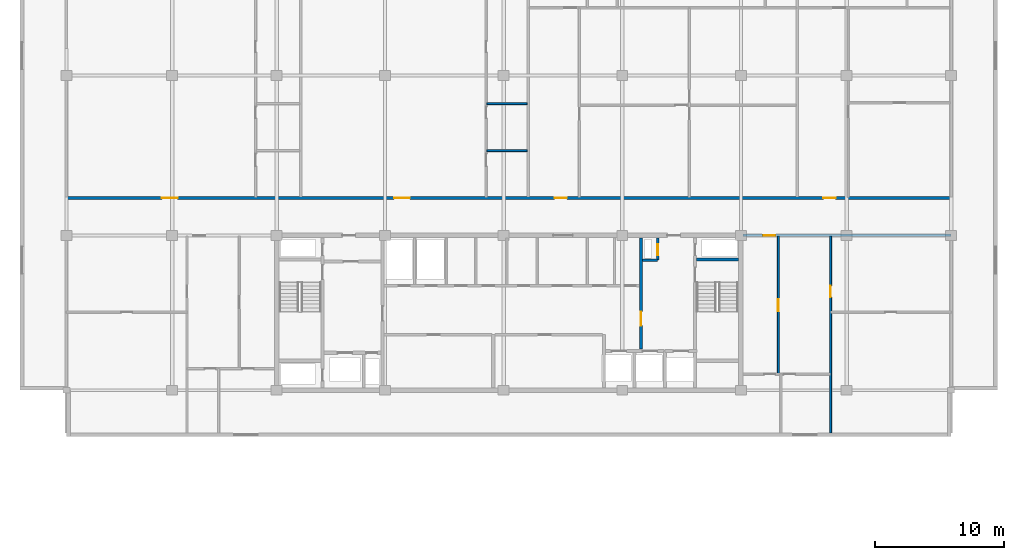
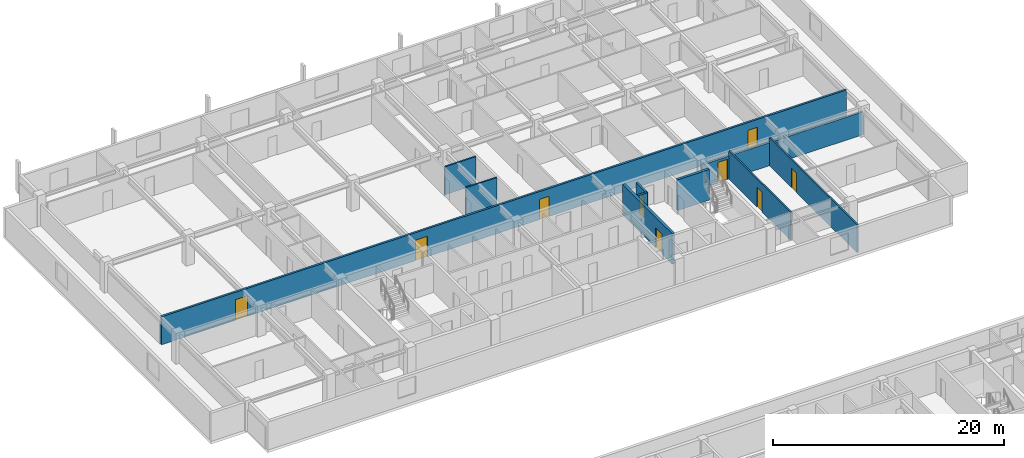
# One storey, part 13 of 22: 10 walls, 9 doors, 9 openings.
"""IFC4 building model written with IfcOpenShell, lengths in metres."""

from ifc_helpers import new_model, si_unit, direction, frame, frame_2d, origin, place, context, subcontext, project, spatial, rectangle, extrude, material, layer, layer_set, type_object, element, fill, save


model = new_model("IFC4")

# Units and contexts
model_context = context("Model", 3, precision=1e-05, world=origin(), true_north=direction((0.0, 1.0)))
body_context = subcontext(model_context, "Body", "Model", "MODEL_VIEW")
ifc_project = project(units=[si_unit("LENGTHUNIT", "METRE"), si_unit("AREAUNIT", "SQUARE_METRE"), si_unit("VOLUMEUNIT", "CUBIC_METRE"), si_unit("PLANEANGLEUNIT", "RADIAN"), si_unit("MASSUNIT", "GRAM", prefix="KILO")], contexts=[model_context])

# Site, building, storey
site_placement = place(None, origin())
site = spatial("IfcSite", under=ifc_project, at=site_placement, CompositionType="ELEMENT")
building_placement = place(site_placement, origin())
building = spatial("IfcBuilding", under=site, at=building_placement, Name="Korimba Cascade Residences", CompositionType="ELEMENT")
storey_placement = place(building_placement, frame((0.0, 0.0, 191.35009765625)))
storey = spatial("IfcBuildingStorey", under=building, at=storey_placement, Name="L55", CompositionType="ELEMENT", Elevation=191.35009765625)

# Wall, opening, door
ifc_material_1 = material(Name="Precast concrete C40/50", Category="concrete")
ifc_layer_1 = layer(ifc_material_1, 0.199951171875)
ifc_layer_set_1 = layer_set([ifc_layer_1], Name="Precast concrete C40/50")
wall_type_1 = type_object("IfcWallType", Name="WAL-IT-200", PredefinedType="PARTITIONING", material=ifc_layer_set_1)
wall_1_placement = place(storey_placement, frame((112.25, 67.199951171875, 0.0), z_axis=(0.0, 0.0, 1.0), x_axis=(1.0, 0.0, 0.0)))
wall_1 = element("IfcWall", 1, at=wall_1_placement, inside=storey, type_object=wall_type_1, Name="L55 Partition Wall WAL-L55-T1-FE-N", PredefinedType="PARTITIONING", context=body_context, shape_type="SweptSolid", body=[
    extrude(rectangle(XDim=16.14990234375, YDim=0.199951171875, at=frame_2d((8.074951171875, 0.0))), origin(), (0.0, 0.0, 1.0), 2.43310546875),
])
opening_1_placement = place(wall_1_placement, frame((1.580078125, 0.0, 0.0)))
opening_1 = element("IfcOpeningElement", 2, at=opening_1_placement, cuts=wall_1, Name="Opening D-UN1", PredefinedType="OPENING", context=body_context, shape_type="SweptSolid", body=[
    extrude(rectangle(XDim=0.949951171875, YDim=2.14990234375, at=frame_2d((0.47509765625, 1.074951171875))), frame((0.0, 0.10986328125, 0.0), z_axis=(0.0, -1.0, 0.0), x_axis=(1.0, 0.0, 0.0)), (0.0, 0.0, 1.0), 0.219970703125),
])
ifc_material_2 = material(Name="Fire-Rated Hardwood Apartment Entrance Door", Category="wood")
door_type_1 = type_object("IfcDoorType", Name="DR-FD60-950", OperationType="NOTDEFINED", PredefinedType="DOOR", material=ifc_material_2)
door_1_placement = place(opening_1_placement, origin())
door_1 = element("IfcDoor", 3, at=door_1_placement, inside=storey, type_object=door_type_1, Name="L55-T1-FE Entrance Door", OperationType="SINGLE_SWING_RIGHT", OverallHeight=2.14990234375, OverallWidth=0.949951171875, PredefinedType="DOOR", context=body_context, shape_type="SweptSolid", body=[
    extrude(rectangle(XDim=0.949951171875, YDim=2.14990234375, at=frame_2d((0.47509765625, 1.074951171875))), frame((0.0, 0.02490234375, 0.0), z_axis=(0.0, -1.0, 0.0), x_axis=(1.0, 0.0, 0.0)), (0.0, 0.0, 1.0), 0.050048828125),
])
fill(opening_1, door_1)

# Wall, openings, doors
wall_2_placement = place(storey_placement, frame((59.800048828125, 70.10009765625, 0.0), z_axis=(0.0, 0.0, 1.0), x_axis=(1.0, 0.0, 0.0)))
wall_2 = element("IfcWall", 4, at=wall_2_placement, inside=storey, type_object=wall_type_1, Name="L55 Partition Wall WAL-L55-T1-CORN", PredefinedType="PARTITIONING", context=body_context, shape_type="SweptSolid", body=[
    extrude(rectangle(XDim=68.599853515625, YDim=0.199951171875, at=frame_2d((34.2998046875, 0.0))), origin(), (0.0, 0.0, 1.0), 2.969970703125),
])
opening_2_placement = place(wall_2_placement, frame((7.39404296875, 0.0, 0.0)))
opening_2 = element("IfcOpeningElement", 5, at=opening_2_placement, cuts=wall_2, Name="Opening D-AM1", PredefinedType="OPENING", context=body_context, shape_type="SweptSolid", body=[
    extrude(rectangle(XDim=1.219970703125, YDim=2.179931640625, at=frame_2d((0.60986328125, 1.08984375))), frame((0.0, 0.10986328125, 0.0), z_axis=(0.0, -1.0, 0.0), x_axis=(1.0, 0.0, 0.0)), (0.0, 0.0, 1.0), 0.219970703125),
])
opening_3_placement = place(wall_2_placement, frame((25.414794921875, 0.0, 0.0)))
opening_3 = element("IfcOpeningElement", 6, at=opening_3_placement, cuts=wall_2, Name="Opening D-AM1", PredefinedType="OPENING", context=body_context, shape_type="SweptSolid", body=[
    extrude(rectangle(XDim=1.219970703125, YDim=2.179931640625, at=frame_2d((0.60986328125, 1.08984375))), frame((0.0, 0.10986328125, 0.0), z_axis=(0.0, -1.0, 0.0), x_axis=(1.0, 0.0, 0.0)), (0.0, 0.0, 1.0), 0.219970703125),
])
opening_4_placement = place(wall_2_placement, frame((37.8564453125, 0.0, 0.0)))
opening_4 = element("IfcOpeningElement", 7, at=opening_4_placement, cuts=wall_2, Name="Opening D-UN1", PredefinedType="OPENING", context=body_context, shape_type="SweptSolid", body=[
    extrude(rectangle(XDim=0.949951171875, YDim=2.14990234375, at=frame_2d((0.47509765625, 1.074951171875))), frame((0.0, 0.10986328125, 0.0), z_axis=(0.0, -1.0, 0.0), x_axis=(1.0, 0.0, 0.0)), (0.0, 0.0, 1.0), 0.219970703125),
])
opening_5_placement = place(wall_2_placement, frame((58.697265625, 0.0, 0.0)))
opening_5 = element("IfcOpeningElement", 8, at=opening_5_placement, cuts=wall_2, Name="Opening D-UN1", PredefinedType="OPENING", context=body_context, shape_type="SweptSolid", body=[
    extrude(rectangle(XDim=0.949951171875, YDim=2.14990234375, at=frame_2d((0.47509765625, 1.074951171875))), frame((0.0, 0.10986328125, 0.0), z_axis=(0.0, -1.0, 0.0), x_axis=(1.0, 0.0, 0.0)), (0.0, 0.0, 1.0), 0.219970703125),
])
ifc_material_3 = material(Name="Fire-Rated Glazed Timber Suite Door", Category="wood")
door_type_2 = type_object("IfcDoorType", Name="DR-FD60-1200", OperationType="NOTDEFINED", PredefinedType="DOOR", material=ifc_material_3)
door_2_placement = place(opening_2_placement, origin())
door_2 = element("IfcDoor", 9, at=door_2_placement, inside=storey, type_object=door_type_2, Name="L55-T1-U01 Promenade Design Showroom Door", OperationType="SINGLE_SWING_RIGHT", OverallHeight=2.179931640625, OverallWidth=1.219970703125, PredefinedType="DOOR", context=body_context, shape_type="SweptSolid", body=[
    extrude(rectangle(XDim=1.219970703125, YDim=2.179931640625, at=frame_2d((0.60986328125, 1.08984375))), frame((0.0, 0.02490234375, 0.0), z_axis=(0.0, -1.0, 0.0), x_axis=(1.0, 0.0, 0.0)), (0.0, 0.0, 1.0), 0.050048828125),
])
fill(opening_2, door_2)
door_3_placement = place(opening_3_placement, origin())
door_3 = element("IfcDoor", 10, at=door_3_placement, inside=storey, type_object=door_type_2, Name="L55-T1-U02 Architecture Reading Library Door", OperationType="SINGLE_SWING_LEFT", OverallHeight=2.179931640625, OverallWidth=1.219970703125, PredefinedType="DOOR", context=body_context, shape_type="SweptSolid", body=[
    extrude(rectangle(XDim=1.219970703125, YDim=2.179931640625, at=frame_2d((0.60986328125, 1.08984375))), frame((0.0, 0.02490234375, 0.0), z_axis=(0.0, -1.0, 0.0), x_axis=(1.0, 0.0, 0.0)), (0.0, 0.0, 1.0), 0.050048828125),
])
fill(opening_3, door_3)
door_4_placement = place(opening_4_placement, origin())
door_4 = element("IfcDoor", 11, at=door_4_placement, inside=storey, type_object=door_type_1, Name="Unit L55-T1-U03 Entrance Door", OperationType="SINGLE_SWING_RIGHT", OverallHeight=2.14990234375, OverallWidth=0.949951171875, PredefinedType="DOOR", context=body_context, shape_type="SweptSolid", body=[
    extrude(rectangle(XDim=0.949951171875, YDim=2.14990234375, at=frame_2d((0.47509765625, 1.074951171875))), frame((0.0, 0.02490234375, 0.0), z_axis=(0.0, -1.0, 0.0), x_axis=(1.0, 0.0, 0.0)), (0.0, 0.0, 1.0), 0.050048828125),
])
fill(opening_4, door_4)
door_5_placement = place(opening_5_placement, origin())
door_5 = element("IfcDoor", 12, at=door_5_placement, inside=storey, type_object=door_type_1, Name="Unit L55-T1-U04 Entrance Door", OperationType="SINGLE_SWING_LEFT", OverallHeight=2.14990234375, OverallWidth=0.949951171875, PredefinedType="DOOR", context=body_context, shape_type="SweptSolid", body=[
    extrude(rectangle(XDim=0.949951171875, YDim=2.14990234375, at=frame_2d((0.47509765625, 1.074951171875))), frame((0.0, 0.02490234375, 0.0), z_axis=(0.0, -1.0, 0.0), x_axis=(1.0, 0.0, 0.0)), (0.0, 0.0, 1.0), 0.050048828125),
])
fill(opening_5, door_5)

# Wall, opening, door
ifc_material_4 = material(Name="Insulated Acoustic Stud Partition", Category="gypsum")
ifc_layer_2 = layer(ifc_material_4, 0.14990234375)
ifc_layer_set_2 = layer_set([ifc_layer_2], Name="Insulated Acoustic Stud Partition")
wall_type_2 = type_object("IfcWallType", Name="WAL-PART-150", PredefinedType="PARTITIONING", material=ifc_layer_set_2)
wall_3_placement = place(storey_placement, frame((119.050048828125, 51.89990234375, 0.0), z_axis=(0.0, 0.0, 1.0), x_axis=(0.0, 1.0, 0.0)))
wall_3 = element("IfcWall", 13, at=wall_3_placement, inside=storey, type_object=wall_type_2, Name="L55 Partition Wall WAL-L55-T1-FE-STV", PredefinedType="PARTITIONING", context=body_context, shape_type="SweptSolid", body=[
    extrude(rectangle(XDim=15.25, YDim=0.14990234375, at=frame_2d((7.625, 0.0))), origin(), (0.0, 0.0, 1.0), 2.969970703125),
])
opening_6_placement = place(wall_3_placement, frame((10.5, 0.0, 0.0)))
opening_6 = element("IfcOpeningElement", 14, at=opening_6_placement, cuts=wall_3, Name="Opening D-IN2", PredefinedType="OPENING", context=body_context, shape_type="SweptSolid", body=[
    extrude(rectangle(XDim=0.8798828125, YDim=2.06005859375, at=frame_2d((0.43994140625, 1.030029296875))), frame((0.0, 0.0849609375, 0.0), z_axis=(0.0, -1.0, 0.0), x_axis=(1.0, 0.0, 0.0)), (0.0, 0.0, 1.0), 0.169921875),
])
ifc_material_5 = material(Name="Acoustic Timber Bedroom Door", Category="wood")
door_type_3 = type_object("IfcDoorType", Name="DR-INT-880", OperationType="NOTDEFINED", PredefinedType="DOOR", material=ifc_material_5)
door_6_placement = place(opening_6_placement, origin())
door_6 = element("IfcDoor", 15, at=door_6_placement, inside=storey, type_object=door_type_3, Name="L55-T1-FE Study Door", OperationType="SINGLE_SWING_RIGHT", OverallHeight=2.06005859375, OverallWidth=0.8798828125, PredefinedType="DOOR", context=body_context, shape_type="SweptSolid", body=[
    extrude(rectangle(XDim=0.8798828125, YDim=2.06005859375, at=frame_2d((0.43994140625, 1.030029296875))), frame((0.0, 0.02490234375, 0.0), z_axis=(0.0, -1.0, 0.0), x_axis=(1.0, 0.0, 0.0)), (0.0, 0.0, 1.0), 0.050048828125),
])
fill(opening_6, door_6)

wall_4_placement = place(storey_placement, frame((115.0, 56.449951171875, 0.0), z_axis=(0.0, 0.0, 1.0), x_axis=(0.0, 1.0, 0.0)))
wall_4 = element("IfcWall", 16, at=wall_4_placement, inside=storey, type_object=wall_type_2, Name="L55 Partition Wall WAL-L55-T1-FE-VN", PredefinedType="PARTITIONING", context=body_context, shape_type="SweptSolid", body=[
    extrude(rectangle(XDim=10.699951171875, YDim=0.14990234375, at=frame_2d((5.35009765625, 0.0))), origin(), (0.0, 0.0, 1.0), 2.969970703125),
])
opening_7_placement = place(wall_4_placement, frame((4.889892578125, 0.0, 0.0)))
opening_7 = element("IfcOpeningElement", 17, at=opening_7_placement, cuts=wall_4, Name="Opening D-IN1", PredefinedType="OPENING", context=body_context, shape_type="SweptSolid", body=[
    extrude(rectangle(XDim=0.919921875, YDim=2.080078125, at=frame_2d((0.4599609375, 1.0400390625))), frame((0.0, 0.0849609375, 0.0), z_axis=(0.0, -1.0, 0.0), x_axis=(1.0, 0.0, 0.0)), (0.0, 0.0, 1.0), 0.169921875),
])
ifc_material_6 = material(Name="Acoustic Timber Living Door", Category="wood")
door_type_4 = type_object("IfcDoorType", Name="DR-INT-920", OperationType="NOTDEFINED", PredefinedType="DOOR", material=ifc_material_6)
door_7_placement = place(opening_7_placement, origin())
door_7 = element("IfcDoor", 18, at=door_7_placement, inside=storey, type_object=door_type_4, Name="L55-T1-FE Living Door", OperationType="SINGLE_SWING_LEFT", OverallHeight=2.080078125, OverallWidth=0.919921875, PredefinedType="DOOR", context=body_context, shape_type="SweptSolid", body=[
    extrude(rectangle(XDim=0.919921875, YDim=2.080078125, at=frame_2d((0.4599609375, 1.0400390625))), frame((0.0, 0.02490234375, 0.0), z_axis=(0.0, -1.0, 0.0), x_axis=(1.0, 0.0, 0.0)), (0.0, 0.0, 1.0), 0.050048828125),
])
fill(opening_7, door_7)

# Walls
for number, where, z_axis, x_axis, name in (
    (19, (92.4013671875, 73.77001953125, 0.0), (0.0, 0.0, 1.0), (1.0, 0.0, 0.0), "L55 Partition Wall WAL-L55-T1-U02-WCH"),
    (20, (92.4013671875, 77.419921875, 0.0), (0.0, 0.0, 1.0), (1.0, 0.0, 0.0), "L55 Partition Wall WAL-L55-T1-U02-WCH2"),
):
    element("IfcWall", number, at=place(storey_placement, frame(where, z_axis=z_axis, x_axis=x_axis)), inside=storey, type_object=wall_type_2, Name=name, PredefinedType="PARTITIONING", context=body_context, shape_type="SweptSolid", body=[
        extrude(rectangle(XDim=3.130126953125, YDim=0.14990234375, at=frame_2d((1.56494140625, 0.0))), origin(), (0.0, 0.0, 1.0), 2.969970703125),
    ])
ifc_material_7 = material(Name="Concrete C40/50", Category="concrete")
ifc_layer_3 = layer(ifc_material_7, 0.199951171875)
ifc_layer_set_3 = layer_set([ifc_layer_3], Name="Concrete C40/50")
wall_type_3 = type_object("IfcWallType", Name="WAL-PART-200", PredefinedType="PARTITIONING", material=ifc_layer_set_3)
wall_5_placement = place(storey_placement, frame((104.449951171875, 65.280029296875, 0.0), z_axis=(0.0, 0.0, 1.0), x_axis=(1.0, 0.0, 0.0)))
element("IfcWall", 21, at=wall_5_placement, inside=storey, type_object=wall_type_3, Name="L55 Partition Wall CW-L55-T1-HYDW2S", PredefinedType="PARTITIONING", context=body_context, shape_type="SweptSolid", body=[
    extrude(rectangle(XDim=1.199951171875, YDim=0.199951171875, at=frame_2d((0.60009765625, 0.0))), origin(), (0.0, 0.0, 1.0), 2.969970703125),
])

# Wall, opening, door
wall_6_placement = place(storey_placement, frame((105.64990234375, 65.280029296875, 0.0), z_axis=(0.0, 0.0, 1.0), x_axis=(0.0, 1.0, 0.0)))
wall_6 = element("IfcWall", 22, at=wall_6_placement, inside=storey, type_object=wall_type_3, Name="L55 Partition Wall CW-L55-T1-HYDW2E", PredefinedType="PARTITIONING", context=body_context, shape_type="SweptSolid", body=[
    extrude(rectangle(XDim=1.719970703125, YDim=0.199951171875, at=frame_2d((0.85986328125, 0.0))), origin(), (0.0, 0.0, 1.0), 2.969970703125),
])
opening_8_placement = place(wall_6_placement, frame((0.39990234375, 0.0, 0.0)))
opening_8 = element("IfcOpeningElement", 23, at=opening_8_placement, cuts=wall_6, Name="Opening D-RS1", PredefinedType="OPENING", context=body_context, shape_type="SweptSolid", body=[
    extrude(rectangle(XDim=0.85009765625, YDim=2.050048828125, at=frame_2d((0.425048828125, 1.02490234375))), frame((0.0, 0.10986328125, 0.0), z_axis=(0.0, -1.0, 0.0), x_axis=(1.0, 0.0, 0.0)), (0.0, 0.0, 1.0), 0.219970703125),
])
ifc_material_8 = material(Name="Fire-Rated Steel Riser Access Door", Category="steel")
door_type_5 = type_object("IfcDoorType", Name="DR-FD60-850", OperationType="NOTDEFINED", PredefinedType="DOOR", material=ifc_material_8)
door_8_placement = place(opening_8_placement, origin())
door_8 = element("IfcDoor", 24, at=door_8_placement, inside=storey, type_object=door_type_5, Name="L55 East Hydrant Door", OperationType="SINGLE_SWING_LEFT", OverallHeight=2.050048828125, OverallWidth=0.85009765625, PredefinedType="DOOR", context=body_context, shape_type="SweptSolid", body=[
    extrude(rectangle(XDim=0.85009765625, YDim=2.050048828125, at=frame_2d((0.425048828125, 1.02490234375))), frame((0.0, 0.02490234375, 0.0), z_axis=(0.0, -1.0, 0.0), x_axis=(1.0, 0.0, 0.0)), (0.0, 0.0, 1.0), 0.050048828125),
])
fill(opening_8, door_8)

ifc_material_9 = material(Name="Concrete C50/60", Category="concrete")
ifc_layer_4 = layer(ifc_material_9, 0.25)
ifc_layer_set_4 = layer_set([ifc_layer_4], Name="Concrete C50/60")
wall_type_4 = type_object("IfcWallType", Name="WAL-SHAFT-250", PredefinedType="SHEAR", material=ifc_layer_set_4)
wall_7_placement = place(storey_placement, frame((104.35009765625, 58.39990234375, 0.0), z_axis=(0.0, 0.0, 1.0), x_axis=(0.0, 1.0, 0.0)))
wall_7 = element("IfcWall", 25, at=wall_7_placement, inside=storey, type_object=wall_type_4, Name="L55 Core Shear Wall CW-L55-T1-LLEV", PredefinedType="SHEAR", context=body_context, shape_type="SweptSolid", body=[
    extrude(rectangle(XDim=8.60009765625, YDim=0.25, at=frame_2d((4.300048828125, 0.0))), origin(), (0.0, 0.0, 1.0), 3.25),
])
opening_9_placement = place(wall_7_placement, frame((1.800048828125, 0.0, 0.0)))
opening_9 = element("IfcOpeningElement", 26, at=opening_9_placement, cuts=wall_7, Name="Opening D-FD1", PredefinedType="OPENING", context=body_context, shape_type="SweptSolid", body=[
    extrude(rectangle(XDim=1.10009765625, YDim=2.10009765625, at=frame_2d((0.550048828125, 1.050048828125))), frame((0.0, 0.135009765625, 0.0), z_axis=(0.0, -1.0, 0.0), x_axis=(1.0, 0.0, 0.0)), (0.0, 0.0, 1.0), 0.27001953125),
])
ifc_material_10 = material(Name="Fire-Rated Steel Core Door", Category="steel")
door_type_6 = type_object("IfcDoorType", Name="DR-FD120-1100", OperationType="NOTDEFINED", PredefinedType="DOOR", material=ifc_material_10)
door_9_placement = place(opening_9_placement, origin())
door_9 = element("IfcDoor", 27, at=door_9_placement, inside=storey, type_object=door_type_6, Name="L55 Lift Lobby to East Firefighting Lobby Door", OperationType="SINGLE_SWING_RIGHT", OverallHeight=2.10009765625, OverallWidth=1.10009765625, PredefinedType="DOOR", context=body_context, shape_type="SweptSolid", body=[
    extrude(rectangle(XDim=1.10009765625, YDim=2.10009765625, at=frame_2d((0.550048828125, 1.050048828125))), frame((0.0, 0.02490234375, 0.0), z_axis=(0.0, -1.0, 0.0), x_axis=(1.0, 0.0, 0.0)), (0.0, 0.0, 1.0), 0.050048828125),
])
fill(opening_9, door_9)

# Wall
wall_8_placement = place(storey_placement, frame((108.659912109375, 65.324951171875, 0.0), z_axis=(0.0, 0.0, 1.0), x_axis=(1.0, 0.0, 0.0)))
element("IfcWall", 28, at=wall_8_placement, inside=storey, type_object=wall_type_4, Name="L55 Core Shear Wall CW-L55-T1-STW2N", PredefinedType="SHEAR", context=body_context, shape_type="SweptSolid", body=[
    extrude(rectangle(XDim=3.239990234375, YDim=0.25, at=frame_2d((1.6201171875, 0.0))), origin(), (0.0, 0.0, 1.0), 3.25),
])

save(model, "model.ifc")
